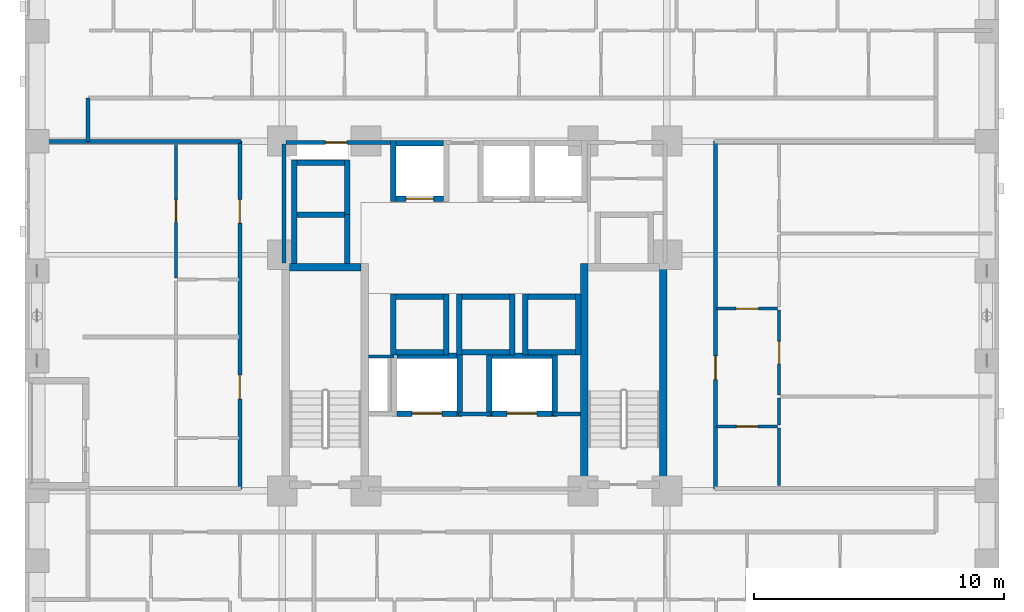
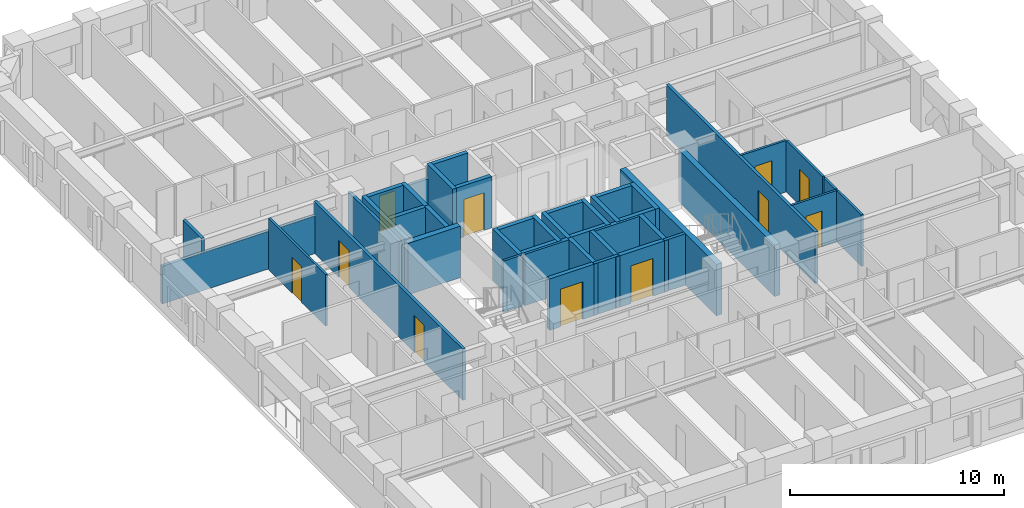
# One storey, part 5 of 14: 45 walls, 11 doors, 11 openings.
"""IFC4 building model written with IfcOpenShell, lengths in metres."""

from ifc_helpers import new_model, si_unit, derived_unit, direction, frame, frame_2d, origin, place, context, subcontext, project, spatial, rectangle, extrude, material, layer, layer_set, type_object, element, fill, save


model = new_model("IFC4")

# Units and contexts
model_context = context("Model", 3, precision=1e-05, world=origin(), true_north=direction((0.0, 1.0)))
body_context = subcontext(model_context, "Body", "Model", "MODEL_VIEW")
ifc_project = project(units=[si_unit("LENGTHUNIT", "METRE"), si_unit("AREAUNIT", "SQUARE_METRE"), si_unit("VOLUMEUNIT", "CUBIC_METRE"), si_unit("PLANEANGLEUNIT", "RADIAN"), si_unit("MASSUNIT", "GRAM", prefix="KILO"), derived_unit("THERMALTRANSMITTANCEUNIT", [(si_unit("MASSUNIT", "GRAM", prefix="KILO"), 1), (si_unit("TIMEUNIT", "SECOND"), -3), (si_unit("THERMODYNAMICTEMPERATUREUNIT", "KELVIN"), -1)])], contexts=[model_context])

# Site, building, storey
site_placement = place(None, origin())
site = spatial("IfcSite", under=ifc_project, at=site_placement, CompositionType="ELEMENT")
building_placement = place(site_placement, origin())
building = spatial("IfcBuilding", under=site, at=building_placement, Name="Korrvale Station Residences", CompositionType="ELEMENT")
storey_placement = place(building_placement, frame((0.0, 0.0, 41.800048828125)))
storey = spatial("IfcBuildingStorey", under=building, at=storey_placement, Name="L10", CompositionType="ELEMENT", Elevation=41.800048828125)

# Walls
ifc_material_1 = material(Name="Concrete C70/85", Category="concrete")
ifc_layer_1 = layer(ifc_material_1, 0.300048828125, Name="Concrete C70/85")
ifc_layer_set_1 = layer_set([ifc_layer_1], Name="Concrete C70/85")
wall_type_1 = type_object("IfcWallType", Name="WAL-CORE-300-C70", PredefinedType="SHEAR", material=ifc_layer_set_1)
wall_1_placement = place(storey_placement, frame((18.10009765625, 23.949951171875, 0.0), z_axis=(0.0, 0.0, 1.0), x_axis=(1.0, 0.0, 0.0)))
element("IfcWall", 1, at=wall_1_placement, inside=storey, type_object=wall_type_1, Name="L10 ST-1 Core Shear Wall North", PredefinedType="SHEAR", context=body_context, shape_type="SweptSolid", body=[
    extrude(rectangle(XDim=2.849853515625, YDim=0.300048828125, at=frame_2d((1.4248046875, 0.0))), origin(), (0.0, 0.0, 1.0), 2.93994140625),
])
for number, where, z_axis, x_axis, name in (
    (2, (29.89990234375, 15.10009765625, 0.0), (0.0, 0.0, 1.0), (0.0, 1.0, 0.0), "L10 ST-2 Core Shear Wall West"),
    (3, (33.050048828125, 15.10009765625, 0.0), (0.0, 0.0, 1.0), (0.0, 1.0, 0.0), "L10 ST-2 Core Shear Wall East"),
):
    element("IfcWall", number, at=place(storey_placement, frame(where, z_axis=z_axis, x_axis=x_axis)), inside=storey, type_object=wall_type_1, Name=name, PredefinedType="SHEAR", context=body_context, shape_type="SweptSolid", body=[
        extrude(rectangle(XDim=9.0, YDim=0.300048828125, at=frame_2d((4.5, 0.0))), origin(), (0.0, 0.0, 1.0), 2.93994140625),
    ])
ifc_material_2 = material(Name="Acoustic steel-stud gypsum board partition", Category="steel")
ifc_layer_2 = layer(ifc_material_2, 0.1201171875, Name="Acoustic steel-stud gypsum board partition")
ifc_layer_set_2 = layer_set([ifc_layer_2], Name="Acoustic steel-stud gypsum board partition")
wall_type_2 = type_object("IfcWallType", Name="WAL-PART-125", PredefinedType="PARTITIONING", material=ifc_layer_set_2)
wall_2_placement = place(storey_placement, frame((22.280029296875, 20.3798828125, 0.0), z_axis=(0.0, 0.0, 1.0), x_axis=(-1.0, 0.0, 0.0)))
element("IfcWall", 4, at=wall_2_placement, inside=storey, type_object=wall_type_2, Name="L10 Core Partition CW-RSWT-N", PredefinedType="PARTITIONING", context=body_context, shape_type="SweptSolid", body=[
    extrude(rectangle(XDim=1.02001953125, YDim=0.1201171875, at=frame_2d((0.510009765625, 0.0))), origin(), (0.0, 0.0, 1.0), 2.93994140625),
])

# Wall, opening, door
wall_3_placement = place(storey_placement, frame((13.550048828125, 23.527099609375, 0.0), z_axis=(0.0, 0.0, 1.0), x_axis=(0.0, 1.0, 0.0)))
wall_3 = element("IfcWall", 5, at=wall_3_placement, inside=storey, type_object=wall_type_2, Name="L10 Suite Partition U05-V12", PredefinedType="PARTITIONING", context=body_context, shape_type="SweptSolid", body=[
    extrude(rectangle(XDim=5.3330078125, YDim=0.1201171875, at=frame_2d((2.66650390625, 0.0))), origin(), (0.0, 0.0, 1.0), 2.93994140625),
])
opening_1_placement = place(wall_3_placement, frame((2.216064453125, 0.0, 0.0)))
opening_1 = element("IfcOpeningElement", 6, at=opening_1_placement, cuts=wall_3, Name="Opening DI-900", PredefinedType="OPENING", context=body_context, shape_type="SweptSolid", body=[
    extrude(rectangle(XDim=0.89990234375, YDim=2.050048828125, at=frame_2d((0.449951171875, 1.02490234375))), frame((0.0, 0.070068359375, 0.0), z_axis=(0.0, -1.0, 0.0), x_axis=(1.0, 0.0, 0.0)), (0.0, 0.0, 1.0), 0.14013671875),
])
ifc_material_3 = material(Name="Painted solid-core timber interior room door", Category="wood")
door_type_1 = type_object("IfcDoorType", Name="DR-INT-900", OperationType="NOTDEFINED", PredefinedType="DOOR", material=ifc_material_3)
door_1_placement = place(opening_1_placement, origin())
door_1 = element("IfcDoor", 7, at=door_1_placement, inside=storey, type_object=door_type_1, Name="L10 Studio Apartment L10-U05 Kitchen Door", OperationType="SINGLE_SWING_RIGHT", OverallHeight=2.050048828125, OverallWidth=0.89990234375, PredefinedType="DOOR", context=body_context, shape_type="SweptSolid", body=[
    extrude(rectangle(XDim=0.89990234375, YDim=2.050048828125, at=frame_2d((0.449951171875, 1.02490234375))), frame((0.0, 0.02490234375, 0.0), z_axis=(0.0, -1.0, 0.0), x_axis=(1.0, 0.0, 0.0)), (0.0, 0.0, 1.0), 0.050048828125),
])
fill(opening_1, door_1)

wall_4_placement = place(storey_placement, frame((35.18994140625, 22.2900390625, 0.0), z_axis=(0.0, 0.0, 1.0), x_axis=(1.0, 0.0, 0.0)))
wall_4 = element("IfcWall", 8, at=wall_4_placement, inside=storey, type_object=wall_type_2, Name="L10 Suite Partition U06-H02", PredefinedType="PARTITIONING", context=body_context, shape_type="SweptSolid", body=[
    extrude(rectangle(XDim=2.449951171875, YDim=0.1201171875, at=frame_2d((1.22509765625, 0.0))), origin(), (0.0, 0.0, 1.0), 2.93994140625),
])
opening_2_placement = place(wall_4_placement, frame((0.77490234375, 0.0, 0.0)))
opening_2 = element("IfcOpeningElement", 9, at=opening_2_placement, cuts=wall_4, Name="Opening DI-900", PredefinedType="OPENING", context=body_context, shape_type="SweptSolid", body=[
    extrude(rectangle(XDim=0.89990234375, YDim=2.050048828125, at=frame_2d((0.449951171875, 1.02490234375))), frame((0.0, 0.070068359375, 0.0), z_axis=(0.0, -1.0, 0.0), x_axis=(1.0, 0.0, 0.0)), (0.0, 0.0, 1.0), 0.14013671875),
])
door_2_placement = place(opening_2_placement, origin())
door_2 = element("IfcDoor", 10, at=door_2_placement, inside=storey, type_object=door_type_1, Name="L10 Apartment 2BR L10-U06 Wardrobe Storage Room Door", OperationType="SINGLE_SWING_LEFT", OverallHeight=2.050048828125, OverallWidth=0.89990234375, PredefinedType="DOOR", context=body_context, shape_type="SweptSolid", body=[
    extrude(rectangle(XDim=0.89990234375, YDim=2.050048828125, at=frame_2d((0.449951171875, 1.02490234375))), frame((0.0, 0.02490234375, 0.0), z_axis=(0.0, -1.0, 0.0), x_axis=(1.0, 0.0, 0.0)), (0.0, 0.0, 1.0), 0.050048828125),
])
fill(opening_2, door_2)

wall_5_placement = place(storey_placement, frame((35.18994140625, 17.570068359375, 0.0), z_axis=(0.0, 0.0, 1.0), x_axis=(1.0, 0.0, 0.0)))
wall_5 = element("IfcWall", 11, at=wall_5_placement, inside=storey, type_object=wall_type_2, Name="L10 Suite Partition U06-H12", PredefinedType="PARTITIONING", context=body_context, shape_type="SweptSolid", body=[
    extrude(rectangle(XDim=2.449951171875, YDim=0.1201171875, at=frame_2d((1.22509765625, 0.0))), origin(), (0.0, 0.0, 1.0), 2.93994140625),
])
opening_3_placement = place(wall_5_placement, frame((0.794921875, 0.0, 0.0)))
opening_3 = element("IfcOpeningElement", 12, at=opening_3_placement, cuts=wall_5, Name="Opening DB-860", PredefinedType="OPENING", context=body_context, shape_type="SweptSolid", body=[
    extrude(rectangle(XDim=0.860107421875, YDim=2.050048828125, at=frame_2d((0.43017578125, 1.02490234375))), frame((0.0, 0.070068359375, 0.0), z_axis=(0.0, -1.0, 0.0), x_axis=(1.0, 0.0, 0.0)), (0.0, 0.0, 1.0), 0.14013671875),
])
ifc_material_4 = material(Name="Moisture-resistant solid-core bathroom door", Category="timber")
door_type_2 = type_object("IfcDoorType", Name="DR-BATH-860", OperationType="NOTDEFINED", PredefinedType="DOOR", material=ifc_material_4)
door_3_placement = place(opening_3_placement, origin())
door_3 = element("IfcDoor", 13, at=door_3_placement, inside=storey, type_object=door_type_2, Name="L10 Apartment 2BR L10-U06 Bathroom Door", OperationType="SINGLE_SWING_RIGHT", OverallHeight=2.050048828125, OverallWidth=0.860107421875, PredefinedType="DOOR", context=body_context, shape_type="SweptSolid", body=[
    extrude(rectangle(XDim=0.860107421875, YDim=2.050048828125, at=frame_2d((0.43017578125, 1.02490234375))), frame((0.0, 0.02490234375, 0.0), z_axis=(0.0, -1.0, 0.0), x_axis=(1.0, 0.0, 0.0)), (0.0, 0.0, 1.0), 0.050048828125),
])
fill(opening_3, door_3)

# Walls
wall_6_placement = place(storey_placement, frame((37.699951171875, 15.2099609375, 0.0), z_axis=(0.0, 0.0, 1.0), x_axis=(0.0, 1.0, 0.0)))
element("IfcWall", 14, at=wall_6_placement, inside=storey, type_object=wall_type_2, Name="L10 Suite Partition U06-V13", PredefinedType="PARTITIONING", context=body_context, shape_type="SweptSolid", body=[
    extrude(rectangle(XDim=2.300048828125, YDim=0.1201171875, at=frame_2d((1.14990234375, 0.0))), origin(), (0.0, 0.0, 1.0), 2.93994140625),
])
wall_7_placement = place(storey_placement, frame((37.699951171875, 17.6298828125, 0.0), z_axis=(0.0, 0.0, 1.0), x_axis=(0.0, 1.0, 0.0)))
element("IfcWall", 15, at=wall_7_placement, inside=storey, type_object=wall_type_2, Name="L10 Suite Partition U06-V23", PredefinedType="PARTITIONING", context=body_context, shape_type="SweptSolid", body=[
    extrude(rectangle(XDim=1.0791015625, YDim=0.1201171875, at=frame_2d((0.53955078125, 0.0))), origin(), (0.0, 0.0, 1.0), 2.93994140625),
])

# Wall, opening, door
wall_8_placement = place(storey_placement, frame((37.699951171875, 18.8291015625, 0.0), z_axis=(0.0, 0.0, 1.0), x_axis=(0.0, 1.0, 0.0)))
wall_8 = element("IfcWall", 16, at=wall_8_placement, inside=storey, type_object=wall_type_2, Name="L10 Suite Partition U06-V24", PredefinedType="PARTITIONING", context=body_context, shape_type="SweptSolid", body=[
    extrude(rectangle(XDim=3.40087890625, YDim=0.1201171875, at=frame_2d((1.700439453125, 0.0))), origin(), (0.0, 0.0, 1.0), 2.93994140625),
])
opening_4_placement = place(wall_8_placement, frame((1.25, 0.0, 0.0)))
opening_4 = element("IfcOpeningElement", 17, at=opening_4_placement, cuts=wall_8, Name="Opening DI-900", PredefinedType="OPENING", context=body_context, shape_type="SweptSolid", body=[
    extrude(rectangle(XDim=0.89990234375, YDim=2.050048828125, at=frame_2d((0.449951171875, 1.02490234375))), frame((0.0, 0.070068359375, 0.0), z_axis=(0.0, -1.0, 0.0), x_axis=(1.0, 0.0, 0.0)), (0.0, 0.0, 1.0), 0.14013671875),
])
door_4_placement = place(opening_4_placement, origin())
door_4 = element("IfcDoor", 18, at=door_4_placement, inside=storey, type_object=door_type_1, Name="L10 Apartment 2BR L10-U06 Kitchen Door", OperationType="SINGLE_SWING_LEFT", OverallHeight=2.050048828125, OverallWidth=0.89990234375, PredefinedType="DOOR", context=body_context, shape_type="SweptSolid", body=[
    extrude(rectangle(XDim=0.89990234375, YDim=2.050048828125, at=frame_2d((0.449951171875, 1.02490234375))), frame((0.0, 0.02490234375, 0.0), z_axis=(0.0, -1.0, 0.0), x_axis=(1.0, 0.0, 0.0)), (0.0, 0.0, 1.0), 0.050048828125),
])
fill(opening_4, door_4)

# Walls
ifc_material_5 = material(Name="Fire-rated twin-stud gypsum and mineral wool shaftwall assembly", Category="gypsum")
ifc_layer_3 = layer(ifc_material_5, 0.159912109375, Name="Fire-rated twin-stud gypsum and mineral wool shaftwall assembly")
ifc_layer_set_3 = layer_set([ifc_layer_3], Name="Fire-rated twin-stud gypsum and mineral wool shaftwall assembly")
wall_type_3 = type_object("IfcWallType", Name="WAL-PART-200", PredefinedType="PARTITIONING", material=ifc_layer_set_3)
wall_9_placement = place(storey_placement, frame((24.85009765625, 18.080078125, 0.0), z_axis=(0.0, 0.0, 1.0), x_axis=(1.0, 0.0, 0.0)))
element("IfcWall", 19, at=wall_9_placement, inside=storey, type_object=wall_type_3, Name="L10 Core Partition CW-FFL-N2", PredefinedType="PARTITIONING", context=body_context, shape_type="SweptSolid", body=[
    extrude(rectangle(XDim=1.2998046875, YDim=0.159912109375, at=frame_2d((0.64990234375, 0.0))), origin(), (0.0, 0.0, 1.0), 2.93994140625),
])
wall_10_placement = place(storey_placement, frame((28.64990234375, 18.080078125, 0.0), z_axis=(0.0, 0.0, 1.0), x_axis=(1.0, 0.0, 0.0)))
element("IfcWall", 20, at=wall_10_placement, inside=storey, type_object=wall_type_3, Name="L10 Core Partition CW-FFL-N3", PredefinedType="PARTITIONING", context=body_context, shape_type="SweptSolid", body=[
    extrude(rectangle(XDim=1.10009765625, YDim=0.159912109375, at=frame_2d((0.550048828125, 0.0))), origin(), (0.0, 0.0, 1.0), 2.93994140625),
])
wall_11_placement = place(storey_placement, frame((17.8798828125, 24.1201171875, 0.0), z_axis=(0.0, 0.0, 1.0), x_axis=(0.0, 1.0, 0.0)))
element("IfcWall", 21, at=wall_11_placement, inside=storey, type_object=wall_type_3, Name="L10 Core Partition CW-W-N", PredefinedType="PARTITIONING", context=body_context, shape_type="SweptSolid", body=[
    extrude(rectangle(XDim=4.759765625, YDim=0.159912109375, at=frame_2d((2.3798828125, 0.0))), origin(), (0.0, 0.0, 1.0), 2.93994140625),
])

# Wall, opening, door
wall_12_placement = place(storey_placement, frame((17.9599609375, 28.949951171875, 0.0), z_axis=(0.0, 0.0, 1.0), x_axis=(1.0, 0.0, 0.0)))
wall_12 = element("IfcWall", 22, at=wall_12_placement, inside=storey, type_object=wall_type_3, Name="L10 Core Partition CW-NW", PredefinedType="PARTITIONING", context=body_context, shape_type="SweptSolid", body=[
    extrude(rectangle(XDim=4.2900390625, YDim=0.159912109375, at=frame_2d((2.14501953125, 0.0))), origin(), (0.0, 0.0, 1.0), 2.155029296875),
])
opening_5_placement = place(wall_12_placement, frame((1.570068359375, 0.0, 0.0)))
opening_5 = element("IfcOpeningElement", 23, at=opening_5_placement, cuts=wall_12, Name="Opening DB-860", PredefinedType="OPENING", context=body_context, shape_type="SweptSolid", body=[
    extrude(rectangle(XDim=0.860107421875, YDim=2.050048828125, at=frame_2d((0.43017578125, 1.02490234375))), frame((0.0, 0.08984375, 0.0), z_axis=(0.0, -1.0, 0.0), x_axis=(1.0, 0.0, 0.0)), (0.0, 0.0, 1.0), 0.179931640625),
])
door_5_placement = place(opening_5_placement, origin())
door_5 = element("IfcDoor", 24, at=door_5_placement, inside=storey, type_object=door_type_2, Name="L10 Electrical Riser Access Door", OperationType="SINGLE_SWING_RIGHT", OverallHeight=2.050048828125, OverallWidth=0.860107421875, PredefinedType="DOOR", context=body_context, shape_type="SweptSolid", body=[
    extrude(rectangle(XDim=0.860107421875, YDim=2.050048828125, at=frame_2d((0.43017578125, 1.02490234375))), frame((0.0, 0.02490234375, 0.0), z_axis=(0.0, -1.0, 0.0), x_axis=(1.0, 0.0, 0.0)), (0.0, 0.0, 1.0), 0.050048828125),
])
fill(opening_5, door_5)

# Walls
wall_13_placement = place(storey_placement, frame((10.02001953125, 28.97998046875, 0.0), z_axis=(0.0, 0.0, 1.0), x_axis=(0.0, 1.0, 0.0)))
element("IfcWall", 25, at=wall_13_placement, inside=storey, type_object=wall_type_3, Name="L10 Corridor North West Cap", PredefinedType="PARTITIONING", context=body_context, shape_type="SweptSolid", body=[
    extrude(rectangle(XDim=1.739990234375, YDim=0.159912109375, at=frame_2d((0.8701171875, 0.0))), origin(), (0.0, 0.0, 1.0), 2.93994140625),
])
wall_14_placement = place(storey_placement, frame((7.780029296875, 28.97998046875, 0.0), z_axis=(0.0, 0.0, 1.0), x_axis=(1.0, 0.0, 0.0)))
element("IfcWall", 26, at=wall_14_placement, inside=storey, type_object=wall_type_3, Name="L10 West Wing North Corridor Wall", PredefinedType="PARTITIONING", context=body_context, shape_type="SweptSolid", body=[
    extrude(rectangle(XDim=8.35986328125, YDim=0.159912109375, at=frame_2d((4.179931640625, 0.0))), origin(), (0.0, 0.0, 1.0), 2.155029296875),
])

# Wall, openings, doors
wall_15_placement = place(storey_placement, frame((16.10009765625, 15.070068359375, 0.0), z_axis=(0.0, 0.0, 1.0), x_axis=(0.0, 1.0, 0.0)))
wall_15 = element("IfcWall", 27, at=wall_15_placement, inside=storey, type_object=wall_type_3, Name="L10 Rated Corridor Wall W", PredefinedType="PARTITIONING", context=body_context, shape_type="SweptSolid", body=[
    extrude(rectangle(XDim=13.929931640625, YDim=0.159912109375, at=frame_2d((6.96484375, 0.0))), origin(), (0.0, 0.0, 1.0), 2.93994140625),
])
opening_6_placement = place(wall_15_placement, frame((3.60791015625, 0.0, 0.0)))
opening_6 = element("IfcOpeningElement", 28, at=opening_6_placement, cuts=wall_15, Name="Opening UD-950", PredefinedType="OPENING", context=body_context, shape_type="SweptSolid", body=[
    extrude(rectangle(XDim=0.949951171875, YDim=2.10009765625, at=frame_2d((0.47509765625, 1.050048828125))), frame((0.0, 0.08984375, 0.0), z_axis=(0.0, -1.0, 0.0), x_axis=(1.0, 0.0, 0.0)), (0.0, 0.0, 1.0), 0.179931640625),
])
opening_7_placement = place(wall_15_placement, frame((10.64892578125, 0.0, 0.0)))
opening_7 = element("IfcOpeningElement", 29, at=opening_7_placement, cuts=wall_15, Name="Opening UD-950", PredefinedType="OPENING", context=body_context, shape_type="SweptSolid", body=[
    extrude(rectangle(XDim=0.949951171875, YDim=2.10009765625, at=frame_2d((0.47509765625, 1.050048828125))), frame((0.0, 0.08984375, 0.0), z_axis=(0.0, -1.0, 0.0), x_axis=(1.0, 0.0, 0.0)), (0.0, 0.0, 1.0), 0.179931640625),
])
ifc_material_6 = material(Name="Solid-core acoustic oak apartment entrance door", Category="timber")
door_type_3 = type_object("IfcDoorType", Name="DR-UNIT-950", OperationType="NOTDEFINED", PredefinedType="DOOR", material=ifc_material_6)
door_6_placement = place(opening_6_placement, origin())
door_6 = element("IfcDoor", 30, at=door_6_placement, inside=storey, type_object=door_type_3, Name="L10 Apartment L10-U04 Entrance Door", OperationType="SINGLE_SWING_LEFT", OverallHeight=2.10009765625, OverallWidth=0.949951171875, PredefinedType="DOOR", context=body_context, shape_type="SweptSolid", body=[
    extrude(rectangle(XDim=0.949951171875, YDim=2.10009765625, at=frame_2d((0.47509765625, 1.050048828125))), frame((0.0, 0.02490234375, 0.0), z_axis=(0.0, -1.0, 0.0), x_axis=(1.0, 0.0, 0.0)), (0.0, 0.0, 1.0), 0.050048828125),
])
fill(opening_6, door_6)
door_7_placement = place(opening_7_placement, origin())
door_7 = element("IfcDoor", 31, at=door_7_placement, inside=storey, type_object=door_type_3, Name="L10 Apartment L10-U05 Entrance Door", OperationType="SINGLE_SWING_RIGHT", OverallHeight=2.10009765625, OverallWidth=0.949951171875, PredefinedType="DOOR", context=body_context, shape_type="SweptSolid", body=[
    extrude(rectangle(XDim=0.949951171875, YDim=2.10009765625, at=frame_2d((0.47509765625, 1.050048828125))), frame((0.0, 0.02490234375, 0.0), z_axis=(0.0, -1.0, 0.0), x_axis=(1.0, 0.0, 0.0)), (0.0, 0.0, 1.0), 0.050048828125),
])
fill(opening_7, door_7)

# Wall, opening, door
wall_16_placement = place(storey_placement, frame((35.14990234375, 15.070068359375, 0.0), z_axis=(0.0, 0.0, 1.0), x_axis=(0.0, 1.0, 0.0)))
wall_16 = element("IfcWall", 32, at=wall_16_placement, inside=storey, type_object=wall_type_3, Name="L10 Rated Corridor Wall E", PredefinedType="PARTITIONING", context=body_context, shape_type="SweptSolid", body=[
    extrude(rectangle(XDim=13.929931640625, YDim=0.159912109375, at=frame_2d((6.96484375, 0.0))), origin(), (0.0, 0.0, 1.0), 2.93994140625),
])
opening_8_placement = place(wall_16_placement, frame((4.385009765625, 0.0, 0.0)))
opening_8 = element("IfcOpeningElement", 33, at=opening_8_placement, cuts=wall_16, Name="Opening UD-950", PredefinedType="OPENING", context=body_context, shape_type="SweptSolid", body=[
    extrude(rectangle(XDim=0.949951171875, YDim=2.10009765625, at=frame_2d((0.47509765625, 1.050048828125))), frame((0.0, 0.08984375, 0.0), z_axis=(0.0, -1.0, 0.0), x_axis=(1.0, 0.0, 0.0)), (0.0, 0.0, 1.0), 0.179931640625),
])
door_8_placement = place(opening_8_placement, origin())
door_8 = element("IfcDoor", 34, at=door_8_placement, inside=storey, type_object=door_type_3, Name="L10 Apartment L10-U06 Entrance Door", OperationType="SINGLE_SWING_LEFT", OverallHeight=2.10009765625, OverallWidth=0.949951171875, PredefinedType="DOOR", context=body_context, shape_type="SweptSolid", body=[
    extrude(rectangle(XDim=0.949951171875, YDim=2.10009765625, at=frame_2d((0.47509765625, 1.050048828125))), frame((0.0, 0.02490234375, 0.0), z_axis=(0.0, -1.0, 0.0), x_axis=(1.0, 0.0, 0.0)), (0.0, 0.0, 1.0), 0.050048828125),
])
fill(opening_8, door_8)

ifc_layer_4 = layer(ifc_material_1, 0.219970703125, Name="Concrete C70/85")
ifc_layer_set_4 = layer_set([ifc_layer_4], Name="Concrete C70/85")
wall_type_4 = type_object("IfcWallType", Name="WAL-SHAFT-220-C70", PredefinedType="SHEAR", material=ifc_layer_set_4)
wall_17_placement = place(storey_placement, frame((22.35009765625, 26.68994140625, 0.0), z_axis=(0.0, 0.0, 1.0), x_axis=(1.0, 0.0, 0.0)))
wall_17 = element("IfcWall", 35, at=wall_17_placement, inside=storey, type_object=wall_type_4, Name="L10 Elevator PL-1 Hoistway Wall South", PredefinedType="SHEAR", context=body_context, shape_type="SweptSolid", body=[
    extrude(rectangle(XDim=1.89990234375, YDim=0.219970703125, at=frame_2d((0.949951171875, 0.0))), origin(), (0.0, 0.0, 1.0), 2.93994140625),
])
opening_9_placement = place(wall_17_placement, frame((0.39990234375, 0.0, 0.0)))
opening_9 = element("IfcOpeningElement", 36, at=opening_9_placement, cuts=wall_17, Name="Opening LD-1100", PredefinedType="OPENING", context=body_context, shape_type="SweptSolid", body=[
    extrude(rectangle(XDim=1.10009765625, YDim=2.14990234375, at=frame_2d((0.550048828125, 1.074951171875))), frame((0.0, 0.1201171875, 0.0), z_axis=(0.0, -1.0, 0.0), x_axis=(1.0, 0.0, 0.0)), (0.0, 0.0, 1.0), 0.239990234375),
])
ifc_material_7 = material(Name="Brushed stainless-steel elevator landing sliding door", Category="steel")
door_type_4 = type_object("IfcDoorType", Name="DR-LIFT-1100", OperationType="SLIDING_TO_LEFT", PredefinedType="DOOR", material=ifc_material_7)
door_9_placement = place(opening_9_placement, origin())
door_9 = element("IfcDoor", 37, at=door_9_placement, inside=storey, type_object=door_type_4, Name="L10 Elevator PL-1 Sliding Landing Door", OperationType="SLIDING_TO_LEFT", OverallHeight=2.14990234375, OverallWidth=1.10009765625, PredefinedType="DOOR", context=body_context, shape_type="SweptSolid", body=[
    extrude(rectangle(XDim=1.10009765625, YDim=2.14990234375, at=frame_2d((0.550048828125, 1.074951171875))), frame((0.0, 0.02490234375, 0.0), z_axis=(0.0, -1.0, 0.0), x_axis=(1.0, 0.0, 0.0)), (0.0, 0.0, 1.0), 0.050048828125),
])
fill(opening_9, door_9)

# Walls
wall_18_placement = place(storey_placement, frame((22.35009765625, 28.909912109375, 0.0), z_axis=(0.0, 0.0, 1.0), x_axis=(1.0, 0.0, 0.0)))
element("IfcWall", 38, at=wall_18_placement, inside=storey, type_object=wall_type_4, Name="L10 Elevator PL-1 Hoistway Wall North", PredefinedType="SHEAR", context=body_context, shape_type="SweptSolid", body=[
    extrude(rectangle(XDim=1.89990234375, YDim=0.219970703125, at=frame_2d((0.949951171875, 0.0))), origin(), (0.0, 0.0, 1.0), 2.93994140625),
])
wall_19_placement = place(storey_placement, frame((22.239990234375, 26.580078125, 0.0), z_axis=(0.0, 0.0, 1.0), x_axis=(0.0, 1.0, 0.0)))
element("IfcWall", 39, at=wall_19_placement, inside=storey, type_object=wall_type_4, Name="L10 Elevator PL-1 Hoistway Wall West", PredefinedType="SHEAR", context=body_context, shape_type="SweptSolid", body=[
    extrude(rectangle(XDim=2.43994140625, YDim=0.219970703125, at=frame_2d((1.219970703125, 0.0))), origin(), (0.0, 0.0, 1.0), 2.93994140625),
])
for number, where, z_axis, x_axis, name in (
    (40, (22.35009765625, 20.5400390625, 0.0), (0.0, 0.0, 1.0), (1.0, 0.0, 0.0), "L10 Elevator PM-1 Hoistway Wall South"),
    (41, (22.35009765625, 22.760009765625, 0.0), (0.0, 0.0, 1.0), (1.0, 0.0, 0.0), "L10 Elevator PM-1 Hoistway Wall North"),
):
    element("IfcWall", number, at=place(storey_placement, frame(where, z_axis=z_axis, x_axis=x_axis)), inside=storey, type_object=wall_type_4, Name=name, PredefinedType="SHEAR", context=body_context, shape_type="SweptSolid", body=[
        extrude(rectangle(XDim=1.89990234375, YDim=0.219970703125, at=frame_2d((0.949951171875, 0.0))), origin(), (0.0, 0.0, 1.0), 2.93994140625),
    ])
for number, where, z_axis, x_axis, name in (
    (42, (22.239990234375, 20.429931640625, 0.0), (0.0, 0.0, 1.0), (0.0, 1.0, 0.0), "L10 Elevator PM-1 Hoistway Wall West"),
    (43, (24.360107421875, 20.429931640625, 0.0), (0.0, 0.0, 1.0), (0.0, 1.0, 0.0), "L10 Elevator PM-1 Hoistway Wall East"),
):
    element("IfcWall", number, at=place(storey_placement, frame(where, z_axis=z_axis, x_axis=x_axis)), inside=storey, type_object=wall_type_4, Name=name, PredefinedType="SHEAR", context=body_context, shape_type="SweptSolid", body=[
        extrude(rectangle(XDim=2.440185546875, YDim=0.219970703125, at=frame_2d((1.22021484375, 0.0))), origin(), (0.0, 0.0, 1.0), 2.93994140625),
    ])
for number, where, z_axis, x_axis, name in (
    (44, (25.0, 20.5400390625, 0.0), (0.0, 0.0, 1.0), (1.0, 0.0, 0.0), "L10 Elevator PM-2 Hoistway Wall South"),
    (45, (25.0, 22.760009765625, 0.0), (0.0, 0.0, 1.0), (1.0, 0.0, 0.0), "L10 Elevator PM-2 Hoistway Wall North"),
):
    element("IfcWall", number, at=place(storey_placement, frame(where, z_axis=z_axis, x_axis=x_axis)), inside=storey, type_object=wall_type_4, Name=name, PredefinedType="SHEAR", context=body_context, shape_type="SweptSolid", body=[
        extrude(rectangle(XDim=1.89990234375, YDim=0.219970703125, at=frame_2d((0.949951171875, 0.0))), origin(), (0.0, 0.0, 1.0), 2.93994140625),
    ])
for number, where, z_axis, x_axis, name in (
    (46, (24.889892578125, 20.429931640625, 0.0), (0.0, 0.0, 1.0), (0.0, 1.0, 0.0), "L10 Elevator PM-2 Hoistway Wall West"),
    (47, (27.010009765625, 20.429931640625, 0.0), (0.0, 0.0, 1.0), (0.0, 1.0, 0.0), "L10 Elevator PM-2 Hoistway Wall East"),
):
    element("IfcWall", number, at=place(storey_placement, frame(where, z_axis=z_axis, x_axis=x_axis)), inside=storey, type_object=wall_type_4, Name=name, PredefinedType="SHEAR", context=body_context, shape_type="SweptSolid", body=[
        extrude(rectangle(XDim=2.440185546875, YDim=0.219970703125, at=frame_2d((1.22021484375, 0.0))), origin(), (0.0, 0.0, 1.0), 2.93994140625),
    ])
for number, where, z_axis, x_axis, name in (
    (48, (27.64990234375, 20.5400390625, 0.0), (0.0, 0.0, 1.0), (1.0, 0.0, 0.0), "L10 Elevator PM-3 Hoistway Wall South"),
    (49, (27.64990234375, 22.760009765625, 0.0), (0.0, 0.0, 1.0), (1.0, 0.0, 0.0), "L10 Elevator PM-3 Hoistway Wall North"),
):
    element("IfcWall", number, at=place(storey_placement, frame(where, z_axis=z_axis, x_axis=x_axis)), inside=storey, type_object=wall_type_4, Name=name, PredefinedType="SHEAR", context=body_context, shape_type="SweptSolid", body=[
        extrude(rectangle(XDim=1.900146484375, YDim=0.219970703125, at=frame_2d((0.9501953125, 0.0))), origin(), (0.0, 0.0, 1.0), 2.93994140625),
    ])
for number, where, z_axis, x_axis, name in (
    (50, (27.5400390625, 20.429931640625, 0.0), (0.0, 0.0, 1.0), (0.0, 1.0, 0.0), "L10 Elevator PM-3 Hoistway Wall West"),
    (51, (29.659912109375, 20.429931640625, 0.0), (0.0, 0.0, 1.0), (0.0, 1.0, 0.0), "L10 Elevator PM-3 Hoistway Wall East"),
):
    element("IfcWall", number, at=place(storey_placement, frame(where, z_axis=z_axis, x_axis=x_axis)), inside=storey, type_object=wall_type_4, Name=name, PredefinedType="SHEAR", context=body_context, shape_type="SweptSolid", body=[
        extrude(rectangle(XDim=2.440185546875, YDim=0.219970703125, at=frame_2d((1.22021484375, 0.0))), origin(), (0.0, 0.0, 1.0), 2.93994140625),
    ])
wall_20_placement = place(storey_placement, frame((18.2900390625, 24.10009765625, 0.0), z_axis=(0.0, 0.0, 1.0), x_axis=(0.0, 1.0, 0.0)))
element("IfcWall", 52, at=wall_20_placement, inside=storey, type_object=wall_type_4, Name="L10 Elevator PH-1 Hoistway Wall West", PredefinedType="SHEAR", context=body_context, shape_type="SweptSolid", body=[
    extrude(rectangle(XDim=4.139892578125, YDim=0.219970703125, at=frame_2d((2.06982421875, 0.0))), origin(), (0.0, 0.0, 1.0), 2.93994140625),
])
wall_21_placement = place(storey_placement, frame((20.409912109375, 24.10009765625, 0.0), z_axis=(0.0, 0.0, 1.0), x_axis=(0.0, 1.0, 0.0)))
element("IfcWall", 53, at=wall_21_placement, inside=storey, type_object=wall_type_4, Name="L10 Elevator PH-1 Hoistway Wall East", PredefinedType="SHEAR", context=body_context, shape_type="SweptSolid", body=[
    extrude(rectangle(XDim=1.9599609375, YDim=0.219970703125, at=frame_2d((0.97998046875, 0.0))), origin(), (0.0, 0.0, 1.0), 2.93994140625),
])
for number, where, z_axis, x_axis, name in (
    (54, (18.39990234375, 26.06005859375, 0.0), (0.0, 0.0, 1.0), (1.0, 0.0, 0.0), "L10 Elevator PH-2 Hoistway Wall South"),
    (55, (18.39990234375, 28.1298828125, 0.0), (0.0, 0.0, 1.0), (1.0, 0.0, 0.0), "L10 Elevator PH-2 Hoistway Wall North"),
):
    element("IfcWall", number, at=place(storey_placement, frame(where, z_axis=z_axis, x_axis=x_axis)), inside=storey, type_object=wall_type_4, Name=name, PredefinedType="SHEAR", context=body_context, shape_type="SweptSolid", body=[
        extrude(rectangle(XDim=1.900146484375, YDim=0.219970703125, at=frame_2d((0.9501953125, 0.0))), origin(), (0.0, 0.0, 1.0), 2.93994140625),
    ])
wall_22_placement = place(storey_placement, frame((20.409912109375, 26.06005859375, 0.0), z_axis=(0.0, 0.0, 1.0), x_axis=(0.0, 1.0, 0.0)))
element("IfcWall", 56, at=wall_22_placement, inside=storey, type_object=wall_type_4, Name="L10 Elevator PH-2 Hoistway Wall East", PredefinedType="SHEAR", context=body_context, shape_type="SweptSolid", body=[
    extrude(rectangle(XDim=2.179931640625, YDim=0.219970703125, at=frame_2d((1.08984375, 0.0))), origin(), (0.0, 0.0, 1.0), 2.93994140625),
])

# Wall, opening, door
wall_23_placement = place(storey_placement, frame((22.39990234375, 18.090087890625, 0.0), z_axis=(0.0, 0.0, 1.0), x_axis=(1.0, 0.0, 0.0)))
wall_23 = element("IfcWall", 57, at=wall_23_placement, inside=storey, type_object=wall_type_4, Name="L10 Elevator FFL-1 Hoistway Wall South", PredefinedType="SHEAR", context=body_context, shape_type="SweptSolid", body=[
    extrude(rectangle(XDim=2.400146484375, YDim=0.219970703125, at=frame_2d((1.2001953125, 0.0))), origin(), (0.0, 0.0, 1.0), 2.93994140625),
])
opening_10_placement = place(wall_23_placement, frame((0.60009765625, 0.0, 0.0)))
opening_10 = element("IfcOpeningElement", 58, at=opening_10_placement, cuts=wall_23, Name="Opening LD-FF1200", PredefinedType="OPENING", context=body_context, shape_type="SweptSolid", body=[
    extrude(rectangle(XDim=1.199951171875, YDim=2.14990234375, at=frame_2d((0.60009765625, 1.074951171875))), frame((0.0, 0.1201171875, 0.0), z_axis=(0.0, -1.0, 0.0), x_axis=(1.0, 0.0, 0.0)), (0.0, 0.0, 1.0), 0.239990234375),
])
ifc_material_8 = material(Name="Stainless-steel firefighter elevator landing sliding door", Category="steel")
door_type_5 = type_object("IfcDoorType", Name="DR-LIFT-FF1200", OperationType="SLIDING_TO_LEFT", PredefinedType="DOOR", material=ifc_material_8)
door_10_placement = place(opening_10_placement, origin())
door_10 = element("IfcDoor", 59, at=door_10_placement, inside=storey, type_object=door_type_5, Name="L10 Elevator FFL-1 Sliding Landing Door", OperationType="SLIDING_TO_LEFT", OverallHeight=2.14990234375, OverallWidth=1.199951171875, PredefinedType="DOOR", context=body_context, shape_type="SweptSolid", body=[
    extrude(rectangle(XDim=1.199951171875, YDim=2.14990234375, at=frame_2d((0.60009765625, 1.074951171875))), frame((0.0, 0.02490234375, 0.0), z_axis=(0.0, -1.0, 0.0), x_axis=(1.0, 0.0, 0.0)), (0.0, 0.0, 1.0), 0.050048828125),
])
fill(opening_10, door_10)

# Walls
wall_24_placement = place(storey_placement, frame((22.39990234375, 20.409912109375, 0.0), z_axis=(0.0, 0.0, 1.0), x_axis=(1.0, 0.0, 0.0)))
element("IfcWall", 60, at=wall_24_placement, inside=storey, type_object=wall_type_4, Name="L10 Elevator FFL-1 Hoistway Wall North", PredefinedType="SHEAR", context=body_context, shape_type="SweptSolid", body=[
    extrude(rectangle(XDim=2.400146484375, YDim=0.219970703125, at=frame_2d((1.2001953125, 0.0))), origin(), (0.0, 0.0, 1.0), 2.93994140625),
])
wall_25_placement = place(storey_placement, frame((24.909912109375, 17.97998046875, 0.0), z_axis=(0.0, 0.0, 1.0), x_axis=(0.0, 1.0, 0.0)))
element("IfcWall", 61, at=wall_25_placement, inside=storey, type_object=wall_type_4, Name="L10 Elevator FFL-1 Hoistway Wall East", PredefinedType="SHEAR", context=body_context, shape_type="SweptSolid", body=[
    extrude(rectangle(XDim=2.5400390625, YDim=0.219970703125, at=frame_2d((1.27001953125, 0.0))), origin(), (0.0, 0.0, 1.0), 2.93994140625),
])

# Wall, opening, door
wall_26_placement = place(storey_placement, frame((26.199951171875, 18.090087890625, 0.0), z_axis=(0.0, 0.0, 1.0), x_axis=(1.0, 0.0, 0.0)))
wall_26 = element("IfcWall", 62, at=wall_26_placement, inside=storey, type_object=wall_type_4, Name="L10 Elevator FFL-2 Hoistway Wall South", PredefinedType="SHEAR", context=body_context, shape_type="SweptSolid", body=[
    extrude(rectangle(XDim=2.400146484375, YDim=0.219970703125, at=frame_2d((1.2001953125, 0.0))), origin(), (0.0, 0.0, 1.0), 2.93994140625),
])
opening_11_placement = place(wall_26_placement, frame((0.60009765625, 0.0, 0.0)))
opening_11 = element("IfcOpeningElement", 63, at=opening_11_placement, cuts=wall_26, Name="Opening LD-FF1200", PredefinedType="OPENING", context=body_context, shape_type="SweptSolid", body=[
    extrude(rectangle(XDim=1.199951171875, YDim=2.14990234375, at=frame_2d((0.60009765625, 1.074951171875))), frame((0.0, 0.1201171875, 0.0), z_axis=(0.0, -1.0, 0.0), x_axis=(1.0, 0.0, 0.0)), (0.0, 0.0, 1.0), 0.239990234375),
])
door_11_placement = place(opening_11_placement, origin())
door_11 = element("IfcDoor", 64, at=door_11_placement, inside=storey, type_object=door_type_5, Name="L10 Elevator FFL-2 Sliding Landing Door", OperationType="SLIDING_TO_LEFT", OverallHeight=2.14990234375, OverallWidth=1.199951171875, PredefinedType="DOOR", context=body_context, shape_type="SweptSolid", body=[
    extrude(rectangle(XDim=1.199951171875, YDim=2.14990234375, at=frame_2d((0.60009765625, 1.074951171875))), frame((0.0, 0.02490234375, 0.0), z_axis=(0.0, -1.0, 0.0), x_axis=(1.0, 0.0, 0.0)), (0.0, 0.0, 1.0), 0.050048828125),
])
fill(opening_11, door_11)

# Walls
wall_27_placement = place(storey_placement, frame((26.199951171875, 20.409912109375, 0.0), z_axis=(0.0, 0.0, 1.0), x_axis=(1.0, 0.0, 0.0)))
element("IfcWall", 65, at=wall_27_placement, inside=storey, type_object=wall_type_4, Name="L10 Elevator FFL-2 Hoistway Wall North", PredefinedType="SHEAR", context=body_context, shape_type="SweptSolid", body=[
    extrude(rectangle(XDim=2.400146484375, YDim=0.219970703125, at=frame_2d((1.2001953125, 0.0))), origin(), (0.0, 0.0, 1.0), 2.93994140625),
])
for number, where, z_axis, x_axis, name in (
    (66, (26.090087890625, 17.97998046875, 0.0), (0.0, 0.0, 1.0), (0.0, 1.0, 0.0), "L10 Elevator FFL-2 Hoistway Wall West"),
    (67, (28.7099609375, 17.97998046875, 0.0), (0.0, 0.0, 1.0), (0.0, 1.0, 0.0), "L10 Elevator FFL-2 Hoistway Wall East"),
):
    element("IfcWall", number, at=place(storey_placement, frame(where, z_axis=z_axis, x_axis=x_axis)), inside=storey, type_object=wall_type_4, Name=name, PredefinedType="SHEAR", context=body_context, shape_type="SweptSolid", body=[
        extrude(rectangle(XDim=2.5400390625, YDim=0.219970703125, at=frame_2d((1.27001953125, 0.0))), origin(), (0.0, 0.0, 1.0), 2.93994140625),
    ])

save(model, "model.ifc")
